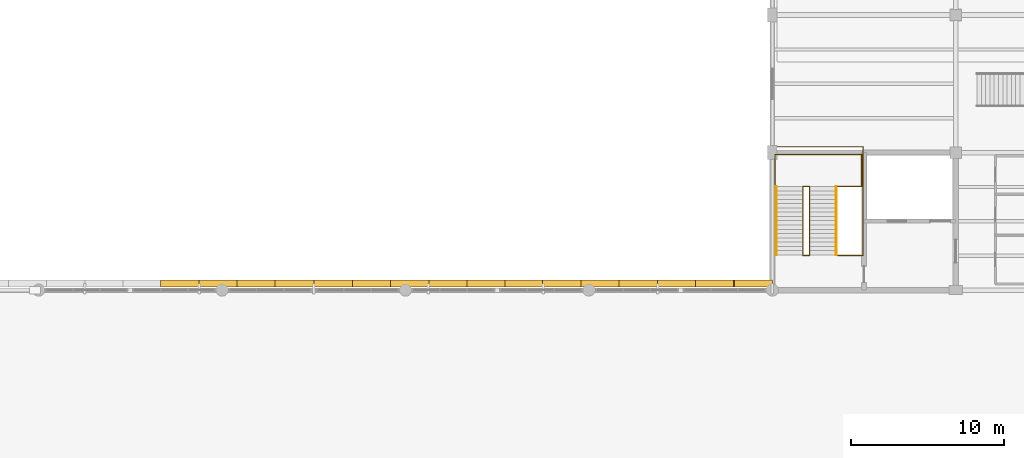
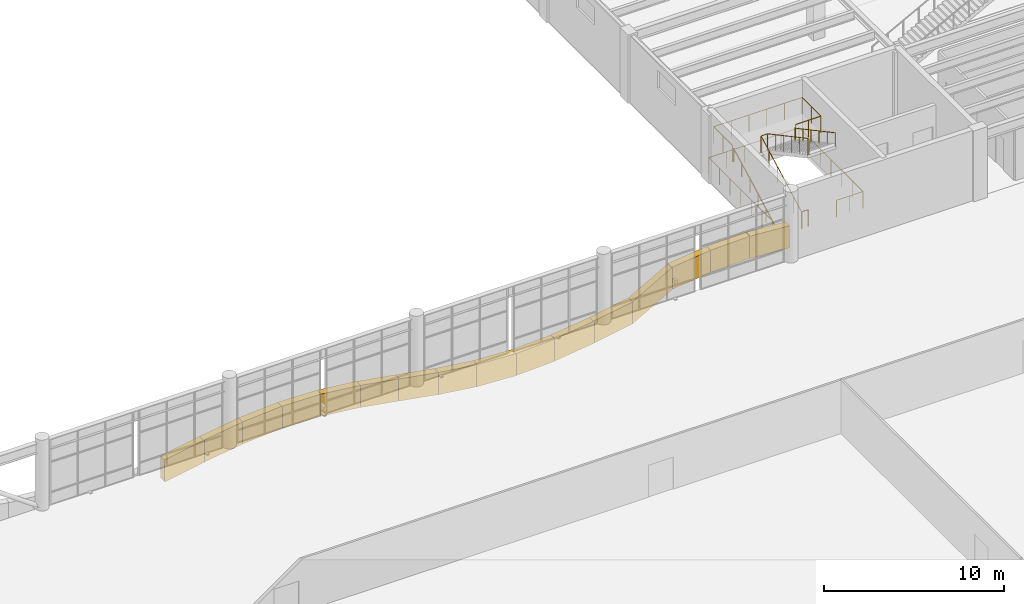
# One storey, part 65 of 72: 16 coverings, 6 railings.
"""IFC4 building model written with IfcOpenShell, lengths in metres."""

from ifc_helpers import new_model, si_unit, direction, frame, origin, origin_2d, place, context, subcontext, project, spatial, polyline, circle, outline, extrude, material, layer, layer_set, type_object, element, save


model = new_model("IFC4")

# Units and contexts
model_context = context("Model", 3, precision=1e-05, world=origin(), true_north=direction((0.0, 1.0)))
body_context = subcontext(model_context, "Body", "Model", "MODEL_VIEW")
ifc_project = project(units=[si_unit("LENGTHUNIT", "METRE"), si_unit("AREAUNIT", "SQUARE_METRE"), si_unit("VOLUMEUNIT", "CUBIC_METRE"), si_unit("PLANEANGLEUNIT", "RADIAN"), si_unit("MASSUNIT", "GRAM", prefix="KILO")], contexts=[model_context])

# Site, building, storey
site_placement = place(None, origin())
site = spatial("IfcSite", under=ifc_project, at=site_placement, CompositionType="ELEMENT")
building_placement = place(site_placement, origin())
building = spatial("IfcBuilding", under=site, at=building_placement, Name="Keelwater Ferry Terminal", CompositionType="ELEMENT")
storey_placement = place(building_placement, frame((0.0, 0.0, 5.39990234375)))
storey = spatial("IfcBuildingStorey", under=building, at=storey_placement, Name="L01", CompositionType="ELEMENT", Elevation=5.39990234375)

# Railings
ifc_material_1 = material(Name="Painted Steel S355", Category="steel")
railing_type_1 = type_object("IfcRailingType", Name="GR-115 Stair Well Guardrail", PredefinedType="GUARDRAIL", material=ifc_material_1)
railing_1_placement = place(storey_placement, frame((110.010009765625, 92.260009765625, 0.0)))
element("IfcRailing", 1, at=railing_1_placement, inside=storey, type_object=railing_type_1, Name="Stair ST-C2-L00 Slot Threshold Guard 16", PredefinedType="GUARDRAIL", context=body_context, shape_type="SweptSolid", body=[
    extrude(circle(Radius=0.02392578125, at=origin_2d()), frame((0.0, 0.0, 1.1259765625), z_axis=(1.0, 0.0, 0.0), x_axis=(0.0, 1.0, 0.0)), (0.0, 0.0, 1.0), 0.419921875),
    extrude(circle(Radius=0.02099609375, at=origin_2d()), origin(), (0.0, 0.0, 1.0), 1.101806640625),
    extrude(circle(Radius=0.02099609375, at=origin_2d()), frame((0.419921875, 0.0, 0.0)), (0.0, 0.0, 1.0), 1.101806640625),
])
railing_2_placement = place(storey_placement, frame((108.159912109375, 92.300048828125, 0.0)))
element("IfcRailing", 2, at=railing_2_placement, inside=storey, type_object=railing_type_1, Name="Stair ST-C2-L00 Shaft Perimeter Guard 17", PredefinedType="GUARDRAIL", context=body_context, shape_type="SweptSolid", body=[
    extrude(circle(Radius=0.02392578125, at=origin_2d()), frame((0.0, 0.0, 1.1259765625), z_axis=(0.0, 1.0, 0.0), x_axis=(-1.0, 0.0, 0.0)), (0.0, 0.0, 1.0), 7.079833984375),
    extrude(circle(Radius=0.02392578125, at=origin_2d()), frame((0.0, 7.079833984375, 1.1259765625), z_axis=(1.0, 0.0, 0.0), x_axis=(0.0, 1.0, 0.0)), (0.0, 0.0, 1.0), 5.780029296875),
    extrude(circle(Radius=0.02392578125, at=origin_2d()), frame((5.780029296875, 7.079833984375, 1.1259765625), z_axis=(0.0, -1.0, 0.0), x_axis=(1.0, 0.0, 0.0)), (0.0, 0.0, 1.0), 7.119873046875),
    extrude(circle(Radius=0.02392578125, at=origin_2d()), frame((5.780029296875, -0.0400390625, 1.1259765625), z_axis=(-1.0, 0.0, 0.0), x_axis=(0.0, -1.0, 0.0)), (0.0, 0.0, 1.0), 1.699951171875),
    extrude(circle(Radius=0.02099609375, at=origin_2d()), origin(), (0.0, 0.0, 1.0), 1.101806640625),
    extrude(circle(Radius=0.02099609375, at=origin_2d()), frame((0.0, 1.179931640625, 0.0)), (0.0, 0.0, 1.0), 1.101806640625),
    extrude(circle(Radius=0.02099609375, at=origin_2d()), frame((0.0, 2.35986328125, 0.0)), (0.0, 0.0, 1.0), 1.101806640625),
    extrude(circle(Radius=0.02099609375, at=origin_2d()), frame((0.0, 3.5400390625, 0.0)), (0.0, 0.0, 1.0), 1.101806640625),
    extrude(circle(Radius=0.02099609375, at=origin_2d()), frame((0.0, 4.719970703125, 0.0)), (0.0, 0.0, 1.0), 1.101806640625),
    extrude(circle(Radius=0.02099609375, at=origin_2d()), frame((0.0, 5.89990234375, 0.0)), (0.0, 0.0, 1.0), 1.101806640625),
    extrude(circle(Radius=0.02099609375, at=origin_2d()), frame((0.0, 7.079833984375, 0.0)), (0.0, 0.0, 1.0), 1.101806640625),
    extrude(circle(Radius=0.02099609375, at=origin_2d()), frame((1.156005859375, 7.079833984375, 0.0)), (0.0, 0.0, 1.0), 1.101806640625),
    extrude(circle(Radius=0.02099609375, at=origin_2d()), frame((2.31201171875, 7.079833984375, 0.0)), (0.0, 0.0, 1.0), 1.101806640625),
    extrude(circle(Radius=0.02099609375, at=origin_2d()), frame((3.468017578125, 7.079833984375, 0.0)), (0.0, 0.0, 1.0), 1.101806640625),
    extrude(circle(Radius=0.02099609375, at=origin_2d()), frame((4.6240234375, 7.079833984375, 0.0)), (0.0, 0.0, 1.0), 1.101806640625),
    extrude(circle(Radius=0.02099609375, at=origin_2d()), frame((5.780029296875, 7.079833984375, 0.0)), (0.0, 0.0, 1.0), 1.101806640625),
    extrude(circle(Radius=0.02099609375, at=origin_2d()), frame((5.780029296875, 5.89306640625, 0.0)), (0.0, 0.0, 1.0), 1.101806640625),
    extrude(circle(Radius=0.02099609375, at=origin_2d()), frame((5.780029296875, 4.70654296875, 0.0)), (0.0, 0.0, 1.0), 1.101806640625),
    extrude(circle(Radius=0.02099609375, at=origin_2d()), frame((5.780029296875, 3.52001953125, 0.0)), (0.0, 0.0, 1.0), 1.101806640625),
    extrude(circle(Radius=0.02099609375, at=origin_2d()), frame((5.780029296875, 2.333251953125, 0.0)), (0.0, 0.0, 1.0), 1.101806640625),
    extrude(circle(Radius=0.02099609375, at=origin_2d()), frame((5.780029296875, 1.146484375, 0.0)), (0.0, 0.0, 1.0), 1.101806640625),
    extrude(circle(Radius=0.02099609375, at=origin_2d()), frame((5.780029296875, -0.0400390625, 0.0)), (0.0, 0.0, 1.0), 1.101806640625),
    extrude(circle(Radius=0.02099609375, at=origin_2d()), frame((4.93017578125, -0.0400390625, 0.0)), (0.0, 0.0, 1.0), 1.101806640625),
    extrude(circle(Radius=0.02099609375, at=origin_2d()), frame((4.080078125, -0.0400390625, 0.0)), (0.0, 0.0, 1.0), 1.101806640625),
])
railing_3_placement = place(storey_placement, frame((110.010009765625, 92.300048828125, 0.0)))
element("IfcRailing", 3, at=railing_3_placement, inside=storey, type_object=railing_type_1, Name="Stair ST-C2-L01 Inner Well Guard 18", PredefinedType="GUARDRAIL", context=body_context, shape_type="SweptSolid", body=[
    extrude(circle(Radius=0.02392578125, at=origin_2d()), frame((0.0, 0.0, 1.1259765625), z_axis=(0.0, 0.881467115574, 0.472245406714), x_axis=(-1.0, 0.0, 0.0)), (0.0, 0.0, 1.0), 5.08251953125),
    extrude(circle(Radius=0.02392578125, at=origin_2d()), frame((0.0, 4.47998046875, 3.52587890625), z_axis=(1.0, 0.0, 0.0), x_axis=(0.0, 1.0, 0.0)), (0.0, 0.0, 1.0), 0.419921875),
    extrude(circle(Radius=0.02392578125, at=origin_2d()), frame((0.419921875, 4.47998046875, 3.52587890625), z_axis=(0.0, -0.881487111273, 0.472208081951), x_axis=(1.0, 0.0, 0.0)), (0.0, 0.0, 1.0), 5.082275390625),
    extrude(circle(Radius=0.02099609375, at=origin_2d()), origin(), (0.0, 0.0, 1.0), 1.101806640625),
    extrude(circle(Radius=0.02099609375, at=origin_2d()), frame((0.0, 0.89599609375, 0.47998046875)), (0.0, 0.0, 1.0), 1.101806640625),
    extrude(circle(Radius=0.02099609375, at=origin_2d()), frame((0.0, 1.7919921875, 0.9599609375)), (0.0, 0.0, 1.0), 1.101806640625),
    extrude(circle(Radius=0.02099609375, at=origin_2d()), frame((0.0, 2.68798828125, 1.440185546875)), (0.0, 0.0, 1.0), 1.101806640625),
    extrude(circle(Radius=0.02099609375, at=origin_2d()), frame((0.0, 3.583984375, 1.920166015625)), (0.0, 0.0, 1.0), 1.101806640625),
    extrude(circle(Radius=0.02099609375, at=origin_2d()), frame((0.0, 4.47998046875, 2.400146484375)), (0.0, 0.0, 1.0), 1.101806640625),
    extrude(circle(Radius=0.02099609375, at=origin_2d()), frame((0.419921875, 4.47998046875, 2.400146484375)), (0.0, 0.0, 1.0), 1.101806640625),
    extrude(circle(Radius=0.02099609375, at=origin_2d()), frame((0.419921875, 3.583984375, 2.880126953125)), (0.0, 0.0, 1.0), 1.101806640625),
    extrude(circle(Radius=0.02099609375, at=origin_2d()), frame((0.419921875, 2.68798828125, 3.360107421875)), (0.0, 0.0, 1.0), 1.101806640625),
    extrude(circle(Radius=0.02099609375, at=origin_2d()), frame((0.419921875, 1.7919921875, 3.840087890625)), (0.0, 0.0, 1.0), 1.101806640625),
    extrude(circle(Radius=0.02099609375, at=origin_2d()), frame((0.419921875, 0.89599609375, 4.320068359375)), (0.0, 0.0, 1.0), 1.101806640625),
    extrude(circle(Radius=0.02099609375, at=origin_2d()), frame((0.419921875, 0.0, 4.800048828125)), (0.0, 0.0, 1.0), 1.101806640625),
])
railing_4_placement = place(storey_placement, frame((108.199951171875, 96.780029296875, 2.400146484375)))
element("IfcRailing", 4, at=railing_4_placement, inside=storey, type_object=railing_type_1, Name="Stair ST-C2-L01 Half-Landing Guard 19", PredefinedType="GUARDRAIL", context=body_context, shape_type="SweptSolid", body=[
    extrude(circle(Radius=0.02392578125, at=origin_2d()), frame((0.0, 0.0, 1.1259765625), z_axis=(-1.0, 0.0, 0.0), x_axis=(0.0, -1.0, 0.0)), (0.0, 0.0, 1.0), 0.02001953125),
    extrude(circle(Radius=0.02392578125, at=origin_2d()), frame((-0.02001953125, 0.0, 1.1259765625), z_axis=(0.0, 1.0, 0.0), x_axis=(-1.0, 0.0, 0.0)), (0.0, 0.0, 1.0), 2.090087890625),
    extrude(circle(Radius=0.02392578125, at=origin_2d()), frame((-0.02001953125, 2.090087890625, 1.1259765625), z_axis=(1.0, 0.0, 0.0), x_axis=(0.0, 1.0, 0.0)), (0.0, 0.0, 1.0), 5.670166015625),
    extrude(circle(Radius=0.02392578125, at=origin_2d()), frame((5.650146484375, 2.090087890625, 1.1259765625), z_axis=(0.0, -1.0, 0.0), x_axis=(1.0, 0.0, 0.0)), (0.0, 0.0, 1.0), 2.090087890625),
    extrude(circle(Radius=0.02392578125, at=origin_2d()), frame((5.650146484375, 0.0, 1.1259765625), z_axis=(-1.0, 0.0, 0.0), x_axis=(0.0, -1.0, 0.0)), (0.0, 0.0, 1.0), 1.610107421875),
    extrude(circle(Radius=0.02099609375, at=origin_2d()), origin(), (0.0, 0.0, 1.0), 1.101806640625),
    extrude(circle(Radius=0.02099609375, at=origin_2d()), frame((-0.02001953125, 0.0, 0.0)), (0.0, 0.0, 1.0), 1.101806640625),
    extrude(circle(Radius=0.02099609375, at=origin_2d()), frame((-0.02001953125, 1.044921875, 0.0)), (0.0, 0.0, 1.0), 1.101806640625),
    extrude(circle(Radius=0.02099609375, at=origin_2d()), frame((-0.02001953125, 2.090087890625, 0.0)), (0.0, 0.0, 1.0), 1.101806640625),
    extrude(circle(Radius=0.02099609375, at=origin_2d()), frame((1.114013671875, 2.090087890625, 0.0)), (0.0, 0.0, 1.0), 1.101806640625),
    extrude(circle(Radius=0.02099609375, at=origin_2d()), frame((2.248046875, 2.090087890625, 0.0)), (0.0, 0.0, 1.0), 1.101806640625),
    extrude(circle(Radius=0.02099609375, at=origin_2d()), frame((3.382080078125, 2.090087890625, 0.0)), (0.0, 0.0, 1.0), 1.101806640625),
    extrude(circle(Radius=0.02099609375, at=origin_2d()), frame((4.51611328125, 2.090087890625, 0.0)), (0.0, 0.0, 1.0), 1.101806640625),
    extrude(circle(Radius=0.02099609375, at=origin_2d()), frame((5.650146484375, 2.090087890625, 0.0)), (0.0, 0.0, 1.0), 1.101806640625),
    extrude(circle(Radius=0.02099609375, at=origin_2d()), frame((5.650146484375, 1.044921875, 0.0)), (0.0, 0.0, 1.0), 1.101806640625),
    extrude(circle(Radius=0.02099609375, at=origin_2d()), frame((5.650146484375, 0.0, 0.0)), (0.0, 0.0, 1.0), 1.101806640625),
    extrude(circle(Radius=0.02099609375, at=origin_2d()), frame((4.84521484375, 0.0, 0.0)), (0.0, 0.0, 1.0), 1.101806640625),
    extrude(circle(Radius=0.02099609375, at=origin_2d()), frame((4.0400390625, 0.0, 0.0)), (0.0, 0.0, 1.0), 1.101806640625),
])
ifc_material_2 = material(Name="Brushed stainless steel handrail", Category="steel")
railing_type_2 = type_object("IfcRailingType", Name="HR-920 Stair Pitch Handrail", PredefinedType="HANDRAIL", material=ifc_material_2)
railing_5_placement = place(storey_placement, frame((108.260009765625, 92.300048828125, 0.0)))
element("IfcRailing", 5, at=railing_5_placement, inside=storey, type_object=railing_type_2, Name="Stair ST-C2-L01 Flight 1 Handrail 20", PredefinedType="HANDRAIL", context=body_context, shape_type="SweptSolid", body=[
    extrude(circle(Radius=0.02392578125, at=origin_2d()), frame((0.0, 0.0, 0.89599609375), z_axis=(0.0, 0.881467115574, 0.472245406714), x_axis=(-1.0, 0.0, 0.0)), (0.0, 0.0, 1.0), 5.08251953125),
    extrude(circle(Radius=0.02099609375, at=origin_2d()), origin(), (0.0, 0.0, 1.0), 0.871826171875),
    extrude(circle(Radius=0.02099609375, at=origin_2d()), frame((0.0, 0.89599609375, 0.47998046875)), (0.0, 0.0, 1.0), 0.871826171875),
    extrude(circle(Radius=0.02099609375, at=origin_2d()), frame((0.0, 1.7919921875, 0.9599609375)), (0.0, 0.0, 1.0), 0.871826171875),
    extrude(circle(Radius=0.02099609375, at=origin_2d()), frame((0.0, 2.68798828125, 1.440185546875)), (0.0, 0.0, 1.0), 0.871826171875),
    extrude(circle(Radius=0.02099609375, at=origin_2d()), frame((0.0, 3.583984375, 1.920166015625)), (0.0, 0.0, 1.0), 0.871826171875),
    extrude(circle(Radius=0.02099609375, at=origin_2d()), frame((0.0, 4.47998046875, 2.400146484375)), (0.0, 0.0, 1.0), 0.871826171875),
])
railing_6_placement = place(storey_placement, frame((112.179931640625, 96.780029296875, 2.400146484375)))
element("IfcRailing", 6, at=railing_6_placement, inside=storey, type_object=railing_type_2, Name="Stair ST-C2-L01 Flight 2 Handrail 21", PredefinedType="HANDRAIL", context=body_context, shape_type="SweptSolid", body=[
    extrude(circle(Radius=0.02392578125, at=origin_2d()), frame((0.0, 0.0, 0.89599609375), z_axis=(0.0, -0.881487111273, 0.472208081951), x_axis=(1.0, 0.0, 0.0)), (0.0, 0.0, 1.0), 5.082275390625),
    extrude(circle(Radius=0.02099609375, at=origin_2d()), origin(), (0.0, 0.0, 1.0), 0.871826171875),
    extrude(circle(Radius=0.02099609375, at=origin_2d()), frame((0.0, -0.89599609375, 0.47998046875)), (0.0, 0.0, 1.0), 0.871826171875),
    extrude(circle(Radius=0.02099609375, at=origin_2d()), frame((0.0, -1.7919921875, 0.9599609375)), (0.0, 0.0, 1.0), 0.871826171875),
    extrude(circle(Radius=0.02099609375, at=origin_2d()), frame((0.0, -2.68798828125, 1.43994140625)), (0.0, 0.0, 1.0), 0.871826171875),
    extrude(circle(Radius=0.02099609375, at=origin_2d()), frame((0.0, -3.583984375, 1.919921875)), (0.0, 0.0, 1.0), 0.871826171875),
    extrude(circle(Radius=0.02099609375, at=origin_2d()), frame((0.0, -4.47998046875, 2.39990234375)), (0.0, 0.0, 1.0), 0.871826171875),
])

# Coverings
ifc_material_3 = material(Name="Matte white architectural aluminium fascia ribbon", Category="aluminium")
ifc_layer = layer(ifc_material_3, 0.1201171875)
ifc_layer_set = layer_set([ifc_layer], Name="Matte white architectural aluminium fascia ribbon")
covering_type = type_object("IfcCoveringType", Name="RB-WHT Matte White Fascia Ribbon", PredefinedType="CLADDING", material=ifc_layer_set)
covering_1_placement = place(storey_placement, frame((108.02490234375, 90.419921875, 0.628173828125), z_axis=(0.0, 0.0, 1.0), x_axis=(-1.0, 0.0, 0.0)))
element("IfcCovering", 7, at=covering_1_placement, inside=storey, type_object=covering_type, Name="Concourse Lower Wave Fascia Ribbon 2", PredefinedType="CLADDING", context=body_context, shape_type="SweptSolid", body=[
    extrude(outline(polyline([(0.0, 0.0), (2.5498046875, 0.177978515625), (2.5498046875, 1.677978515625), (0.0, 1.5), (0.0, 0.0)])), frame((0.0, 0.22998046875, 0.0), z_axis=(0.0, -1.0, 0.0), x_axis=(1.0, 0.0, 0.0)), (0.0, 0.0, 1.0), 0.4599609375),
])
covering_2_placement = place(storey_placement, frame((105.52490234375, 90.419921875, 0.739013671875), z_axis=(0.0, 0.0, 1.0), x_axis=(-1.0, 0.0, 0.0)))
element("IfcCovering", 8, at=covering_2_placement, inside=storey, type_object=covering_type, Name="Concourse Lower Wave Fascia Ribbon 13", PredefinedType="CLADDING", context=body_context, shape_type="SweptSolid", body=[
    extrude(outline(polyline([(0.0, 0.067138671875), (2.5498046875, 0.0), (2.5498046875, 1.5), (0.0, 1.567138671875), (0.0, 0.067138671875)])), frame((0.0, 0.22998046875, 0.0), z_axis=(0.0, -1.0, 0.0), x_axis=(1.0, 0.0, 0.0)), (0.0, 0.0, 1.0), 0.4599609375),
])
covering_3_placement = place(storey_placement, frame((103.02490234375, 90.419921875, 0.446044921875), z_axis=(0.0, 0.0, 1.0), x_axis=(-1.0, 0.0, 0.0)))
element("IfcCovering", 9, at=covering_3_placement, inside=storey, type_object=covering_type, Name="Concourse Lower Wave Fascia Ribbon 17", PredefinedType="CLADDING", context=body_context, shape_type="SweptSolid", body=[
    extrude(outline(polyline([(0.0, 0.29296875), (2.5498046875, 0.0), (2.5498046875, 1.5), (0.0, 1.79296875), (0.0, 0.29296875)])), frame((0.0, 0.22998046875, 0.0), z_axis=(0.0, -1.0, 0.0), x_axis=(1.0, 0.0, 0.0)), (0.0, 0.0, 1.0), 0.4599609375),
])
covering_4_placement = place(storey_placement, frame((100.52490234375, 90.419921875, -0.9990234375), z_axis=(0.0, 0.0, 1.0), x_axis=(-1.0, 0.0, 0.0)))
element("IfcCovering", 10, at=covering_4_placement, inside=storey, type_object=covering_type, Name="Concourse Lower Wave Fascia Ribbon 21", PredefinedType="CLADDING", context=body_context, shape_type="SweptSolid", body=[
    extrude(outline(polyline([(0.0, 1.445068359375), (2.5498046875, 0.0), (2.5498046875, 1.5), (0.0, 2.945068359375), (0.0, 1.445068359375)])), frame((0.0, 0.22998046875, 0.0), z_axis=(0.0, -1.0, 0.0), x_axis=(1.0, 0.0, 0.0)), (0.0, 0.0, 1.0), 0.4599609375),
])
covering_5_placement = place(storey_placement, frame((98.02490234375, 90.419921875, -1.447021484375), z_axis=(0.0, 0.0, 1.0), x_axis=(-1.0, 0.0, 0.0)))
element("IfcCovering", 11, at=covering_5_placement, inside=storey, type_object=covering_type, Name="Concourse Lower Wave Fascia Ribbon 32", PredefinedType="CLADDING", context=body_context, shape_type="SweptSolid", body=[
    extrude(outline(polyline([(0.0, 0.447998046875), (2.5498046875, 0.0), (2.5498046875, 1.5), (0.0, 1.947998046875), (0.0, 0.447998046875)])), frame((0.0, 0.22998046875, 0.0), z_axis=(0.0, -1.0, 0.0), x_axis=(1.0, 0.0, 0.0)), (0.0, 0.0, 1.0), 0.4599609375),
])
covering_6_placement = place(storey_placement, frame((95.52490234375, 90.419921875, -1.77880859375), z_axis=(0.0, 0.0, 1.0), x_axis=(-1.0, 0.0, 0.0)))
element("IfcCovering", 12, at=covering_6_placement, inside=storey, type_object=covering_type, Name="Concourse Lower Wave Fascia Ribbon 36", PredefinedType="CLADDING", context=body_context, shape_type="SweptSolid", body=[
    extrude(outline(polyline([(0.0, 0.331787109375), (2.5498046875, 0.0), (2.5498046875, 1.5), (0.0, 1.831787109375), (0.0, 0.331787109375)])), frame((0.0, 0.22998046875, 0.0), z_axis=(0.0, -1.0, 0.0), x_axis=(1.0, 0.0, 0.0)), (0.0, 0.0, 1.0), 0.4599609375),
])
covering_7_placement = place(storey_placement, frame((93.02490234375, 90.419921875, -1.89990234375), z_axis=(0.0, 0.0, 1.0), x_axis=(-1.0, 0.0, 0.0)))
element("IfcCovering", 13, at=covering_7_placement, inside=storey, type_object=covering_type, Name="Concourse Lower Wave Fascia Ribbon 40", PredefinedType="CLADDING", context=body_context, shape_type="SweptSolid", body=[
    extrude(outline(polyline([(0.0, 0.12109375), (2.5498046875, 0.0), (2.5498046875, 1.5), (0.0, 1.62109375), (0.0, 0.12109375)])), frame((0.0, 0.22998046875, 0.0), z_axis=(0.0, -1.0, 0.0), x_axis=(1.0, 0.0, 0.0)), (0.0, 0.0, 1.0), 0.4599609375),
])
covering_8_placement = place(storey_placement, frame((90.52490234375, 90.419921875, -1.89990234375), z_axis=(0.0, 0.0, 1.0), x_axis=(-1.0, 0.0, 0.0)))
element("IfcCovering", 14, at=covering_8_placement, inside=storey, type_object=covering_type, Name="Concourse Lower Wave Fascia Ribbon 51", PredefinedType="CLADDING", context=body_context, shape_type="SweptSolid", body=[
    extrude(outline(polyline([(0.0, 0.0), (2.5498046875, 0.1259765625), (2.5498046875, 1.6259765625), (0.0, 1.5), (0.0, 0.0)])), frame((0.0, 0.22998046875, 0.0), z_axis=(0.0, -1.0, 0.0), x_axis=(1.0, 0.0, 0.0)), (0.0, 0.0, 1.0), 0.4599609375),
])
covering_9_placement = place(storey_placement, frame((88.02490234375, 90.419921875, -1.77392578125), z_axis=(0.0, 0.0, 1.0), x_axis=(-1.0, 0.0, 0.0)))
element("IfcCovering", 15, at=covering_9_placement, inside=storey, type_object=covering_type, Name="Concourse Lower Wave Fascia Ribbon 55", PredefinedType="CLADDING", context=body_context, shape_type="SweptSolid", body=[
    extrude(outline(polyline([(0.0, 0.0), (2.5498046875, 0.3359375), (2.5498046875, 1.8359375), (0.0, 1.5), (0.0, 0.0)])), frame((0.0, 0.22998046875, 0.0), z_axis=(0.0, -1.0, 0.0), x_axis=(1.0, 0.0, 0.0)), (0.0, 0.0, 1.0), 0.4599609375),
])
covering_10_placement = place(storey_placement, frame((85.52490234375, 90.419921875, -1.43798828125), z_axis=(0.0, 0.0, 1.0), x_axis=(-1.0, 0.0, 0.0)))
element("IfcCovering", 16, at=covering_10_placement, inside=storey, type_object=covering_type, Name="Concourse Lower Wave Fascia Ribbon 59", PredefinedType="CLADDING", context=body_context, shape_type="SweptSolid", body=[
    extrude(outline(polyline([(0.0, 0.0), (2.5498046875, 0.447998046875), (2.5498046875, 1.947998046875), (0.0, 1.5), (0.0, 0.0)])), frame((0.0, 0.22998046875, 0.0), z_axis=(0.0, -1.0, 0.0), x_axis=(1.0, 0.0, 0.0)), (0.0, 0.0, 1.0), 0.4599609375),
])
covering_11_placement = place(storey_placement, frame((83.02490234375, 90.419921875, -0.989990234375), z_axis=(0.0, 0.0, 1.0), x_axis=(-1.0, 0.0, 0.0)))
element("IfcCovering", 17, at=covering_11_placement, inside=storey, type_object=covering_type, Name="Concourse Lower Wave Fascia Ribbon 71", PredefinedType="CLADDING", context=body_context, shape_type="SweptSolid", body=[
    extrude(outline(polyline([(0.0, 0.0), (2.5498046875, 0.43115234375), (2.5498046875, 1.93115234375), (0.0, 1.5), (0.0, 0.0)])), frame((0.0, 0.22998046875, 0.0), z_axis=(0.0, -1.0, 0.0), x_axis=(1.0, 0.0, 0.0)), (0.0, 0.0, 1.0), 0.4599609375),
])
covering_12_placement = place(storey_placement, frame((80.52490234375, 90.419921875, -0.558837890625), z_axis=(0.0, 0.0, 1.0), x_axis=(-1.0, 0.0, 0.0)))
element("IfcCovering", 18, at=covering_12_placement, inside=storey, type_object=covering_type, Name="Concourse Lower Wave Fascia Ribbon 74", PredefinedType="CLADDING", context=body_context, shape_type="SweptSolid", body=[
    extrude(outline(polyline([(0.0, 0.0), (2.5498046875, 0.288818359375), (2.5498046875, 1.788818359375), (0.0, 1.5), (0.0, 0.0)])), frame((0.0, 0.22998046875, 0.0), z_axis=(0.0, -1.0, 0.0), x_axis=(1.0, 0.0, 0.0)), (0.0, 0.0, 1.0), 0.4599609375),
])
covering_13_placement = place(storey_placement, frame((78.02490234375, 90.419921875, -0.27001953125), z_axis=(0.0, 0.0, 1.0), x_axis=(-1.0, 0.0, 0.0)))
element("IfcCovering", 19, at=covering_13_placement, inside=storey, type_object=covering_type, Name="Concourse Lower Wave Fascia Ribbon 77", PredefinedType="CLADDING", context=body_context, shape_type="SweptSolid", body=[
    extrude(outline(polyline([(0.0, 0.0), (2.5498046875, 0.06201171875), (2.5498046875, 1.56201171875), (0.0, 1.5), (0.0, 0.0)])), frame((0.0, 0.22998046875, 0.0), z_axis=(0.0, -1.0, 0.0), x_axis=(1.0, 0.0, 0.0)), (0.0, 0.0, 1.0), 0.4599609375),
])
covering_14_placement = place(storey_placement, frame((75.52490234375, 90.419921875, -0.389892578125), z_axis=(0.0, 0.0, 1.0), x_axis=(-1.0, 0.0, 0.0)))
element("IfcCovering", 20, at=covering_14_placement, inside=storey, type_object=covering_type, Name="Concourse Lower Wave Fascia Ribbon 89", PredefinedType="CLADDING", context=body_context, shape_type="SweptSolid", body=[
    extrude(outline(polyline([(0.0, 0.181884765625), (2.5498046875, 0.0), (2.5498046875, 1.5), (0.0, 1.681884765625), (0.0, 0.181884765625)])), frame((0.0, 0.22998046875, 0.0), z_axis=(0.0, -1.0, 0.0), x_axis=(1.0, 0.0, 0.0)), (0.0, 0.0, 1.0), 0.4599609375),
])
covering_15_placement = place(storey_placement, frame((73.02490234375, 90.419921875, -0.763916015625), z_axis=(0.0, 0.0, 1.0), x_axis=(-1.0, 0.0, 0.0)))
element("IfcCovering", 21, at=covering_15_placement, inside=storey, type_object=covering_type, Name="Concourse Lower Wave Fascia Ribbon 93", PredefinedType="CLADDING", context=body_context, shape_type="SweptSolid", body=[
    extrude(outline(polyline([(0.0, 0.3740234375), (2.5498046875, 0.0), (2.5498046875, 1.5), (0.0, 1.8740234375), (0.0, 0.3740234375)])), frame((0.0, 0.22998046875, 0.0), z_axis=(0.0, -1.0, 0.0), x_axis=(1.0, 0.0, 0.0)), (0.0, 0.0, 1.0), 0.4599609375),
])
covering_16_placement = place(storey_placement, frame((70.52490234375, 90.419921875, -1.219970703125), z_axis=(0.0, 0.0, 1.0), x_axis=(-1.0, 0.0, 0.0)))
element("IfcCovering", 22, at=covering_16_placement, inside=storey, type_object=covering_type, Name="Concourse Lower Wave Fascia Ribbon 97", PredefinedType="CLADDING", context=body_context, shape_type="SweptSolid", body=[
    extrude(outline(polyline([(0.0, 0.4560546875), (2.5498046875, 0.0), (2.5498046875, 1.5), (0.0, 1.9560546875), (0.0, 0.4560546875)])), frame((0.0, 0.22998046875, 0.0), z_axis=(0.0, -1.0, 0.0), x_axis=(1.0, 0.0, 0.0)), (0.0, 0.0, 1.0), 0.4599609375),
])

save(model, "model.ifc")
